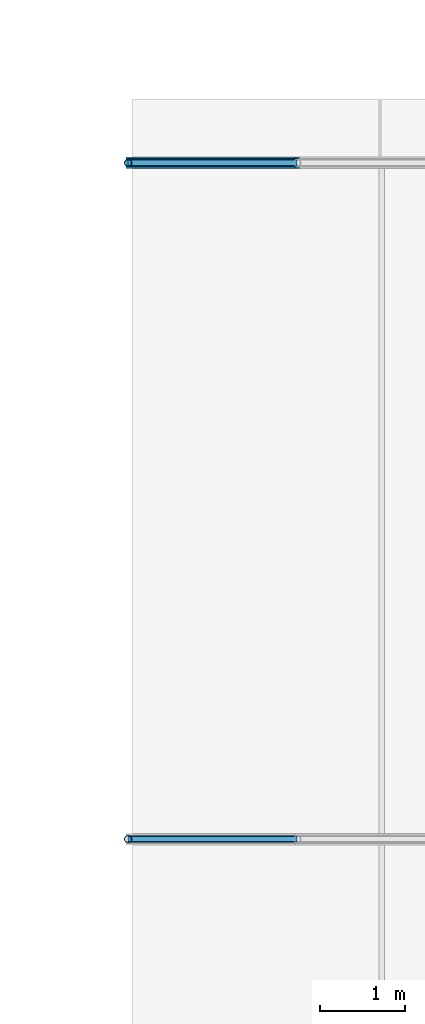
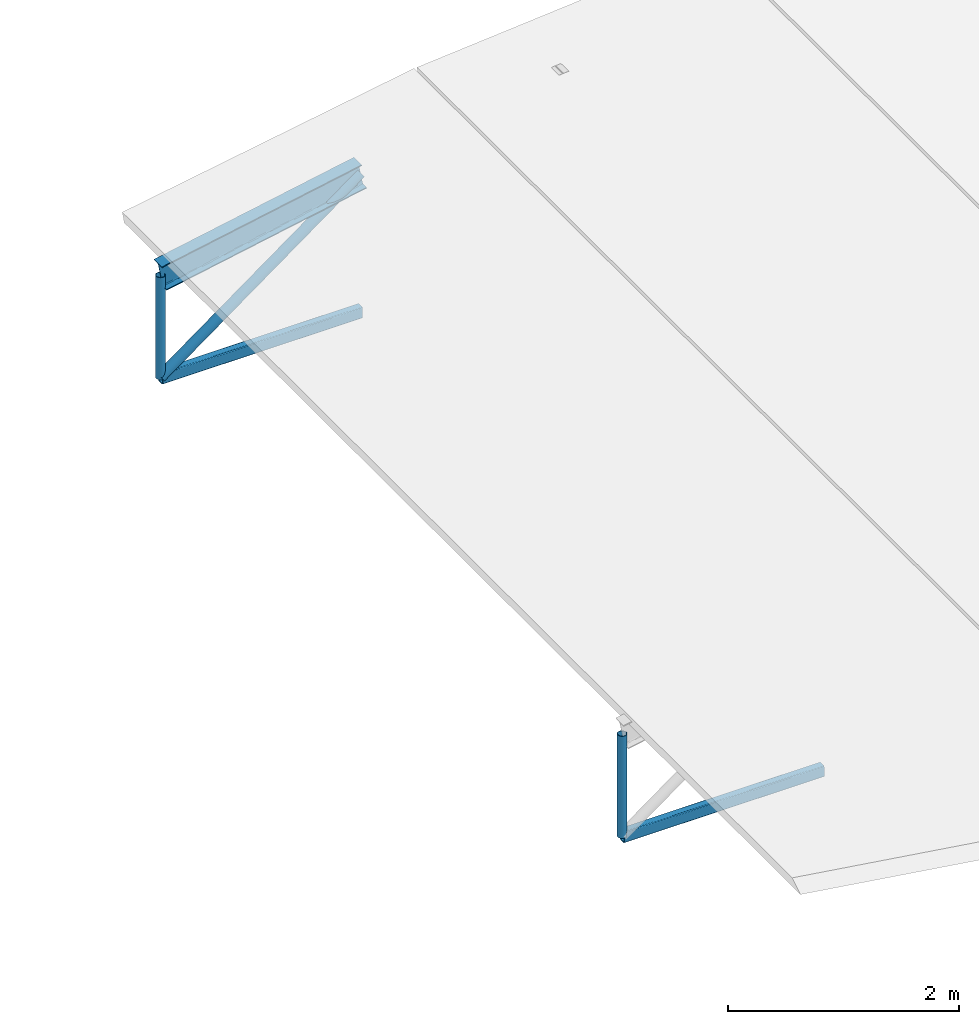
# One storey, part 44 of 54: 6 members.
"""IFC4 building model written with IfcOpenShell, lengths in metres."""

import ifcopenshell
import ifcopenshell.guid

model = None  # the IFC model being written
_history = None  # IfcOwnerHistory: only IFC2X3 demands one
_inside = {}  # id of a spatial element -> (the spatial element, [elements in it])
_under = {}  # id of a project, library or spatial element -> (it, [spatial elements below it])
_declared = {}  # id of a project -> (the project, [libraries it declares])
_typed = {}  # id of a type object -> (the type object, [elements of that type])
_made_of = {}  # id of a material, layer set ... -> (it, [elements and type objects made of it])


def new_model(schema):
    """Start an empty IFC model of exactly this schema.

    Asked for "IFC4X3", IfcOpenShell would pick the latest addendum, in which some entities
    have other attributes; the version numbers below select the first issue.
    IFC2X3 requires an IfcOwnerHistory on every rooted entity: one is made here for all.
    """
    global model, _history
    if schema == "IFC4X3":
        model = ifcopenshell.file(schema_version=(4, 3, 0, 0))
    else:
        model = ifcopenshell.file(schema=schema)
    _inside.clear()
    _under.clear()
    _declared.clear()
    _typed.clear()
    _made_of.clear()
    _history = None
    if model.schema == "IFC2X3":
        org = make("IfcOrganization", Name="unknown")
        user = make(
            "IfcPersonAndOrganization",
            ThePerson=make("IfcPerson", FamilyName="unknown"),
            TheOrganization=org,
        )
        app = make(
            "IfcApplication",
            ApplicationDeveloper=org,
            Version="unknown",
            ApplicationFullName="unknown",
            ApplicationIdentifier="unknown",
        )
        _history = make(
            "IfcOwnerHistory",
            OwningUser=user,
            OwningApplication=app,
            ChangeAction="ADDED",
            CreationDate=0,
        )
    return model


def make(cls, **values):
    """One entity of the class cls with the attributes given. An attribute that is None is left unset."""
    return model.create_entity(
        cls, **{name: value for name, value in values.items() if value is not None}
    )


def rooted(cls, **values):
    """An entity with a GlobalId (a new one), such as an element, a storey or a relation."""
    return make(cls, GlobalId=ifcopenshell.guid.new(), OwnerHistory=_history, **values)


def si_unit(unit_type, name, prefix=None):
    """IfcSIUnit, for example si_unit("LENGTHUNIT", "METRE", prefix="MILLI")."""
    return make("IfcSIUnit", UnitType=unit_type, Prefix=prefix, Name=name)


def derived_unit(unit_type, elements):
    """IfcDerivedUnit: a product of units, each with its exponent."""
    return make(
        "IfcDerivedUnit",
        Elements=[
            make("IfcDerivedUnitElement", Unit=unit, Exponent=power)
            for unit, power in elements
        ],
        UnitType=unit_type,
    )


def assignment(units):
    """IfcUnitAssignment: the units of a project."""
    return None if units is None else make("IfcUnitAssignment", Units=units)


def point(xyz):
    """IfcCartesianPoint."""
    return None if xyz is None else make("IfcCartesianPoint", Coordinates=xyz)


def direction(xyz):
    """IfcDirection."""
    return None if xyz is None else make("IfcDirection", DirectionRatios=xyz)


def frame(location, z_axis=None, x_axis=None):
    """IfcAxis2Placement3D, a coordinate frame: its origin and axes. An axis left out is left unset."""
    return make(
        "IfcAxis2Placement3D",
        Location=point(location),
        Axis=direction(z_axis),
        RefDirection=direction(x_axis),
    )


def frame_2d(location, x_axis=None):
    """IfcAxis2Placement2D, a coordinate frame in the plane: its origin and x axis."""
    return make(
        "IfcAxis2Placement2D", Location=point(location), RefDirection=direction(x_axis)
    )


def origin():
    """The frame at (0, 0, 0) with its axes left unset."""
    return frame((0.0, 0.0, 0.0))


def origin_2d():
    """The frame at (0, 0) in the plane with its x axis left unset."""
    return frame_2d((0.0, 0.0))


def place(relative_to, where):
    """IfcLocalPlacement: puts the frame where relative to a parent placement (None: the world)."""
    return make(
        "IfcLocalPlacement", PlacementRelTo=relative_to, RelativePlacement=where
    )


def context(
    kind, dimensions, precision=None, world=None, true_north=None, identifier=None
):
    """IfcGeometricRepresentationContext, for example the 3D "Model" context."""
    return make(
        "IfcGeometricRepresentationContext",
        ContextIdentifier=identifier,
        ContextType=kind,
        CoordinateSpaceDimension=dimensions,
        Precision=precision,
        WorldCoordinateSystem=world,
        TrueNorth=true_north,
    )


def subcontext(parent, identifier, kind, view, scale=None):
    """IfcGeometricRepresentationSubContext, for example "Body" below "Model"."""
    return make(
        "IfcGeometricRepresentationSubContext",
        ContextIdentifier=identifier,
        ContextType=kind,
        ParentContext=parent,
        TargetScale=scale,
        TargetView=view,
    )


def project(units=None, contexts=None):
    """IfcProject with its units and contexts."""
    return rooted(
        "IfcProject",
        Name="project",
        RepresentationContexts=contexts,
        UnitsInContext=assignment(units),
    )


def spatial(cls, under=None, at=None, **own):
    """A site, building, storey or space (cls), placed at a placement, below another one or the project."""
    s = rooted(cls, ObjectPlacement=at, **own)
    if under is not None:
        _under.setdefault(under.id(), (under, []))[1].append(s)
    return s


def profile(cls, at=None, kind="AREA", **sizes):
    """A parametric profile (cls). Its sizes go by their IFC names, for example OverallWidth=200.0."""
    return make(cls, ProfileType=kind, Position=at, **sizes)


def hollow_rectangle(**sizes):
    """IfcRectangleHollowProfileDef."""
    return profile("IfcRectangleHollowProfileDef", **sizes)


def hollow_circle(**sizes):
    """IfcCircleHollowProfileDef."""
    return profile("IfcCircleHollowProfileDef", **sizes)


def i_section(**sizes):
    """IfcIShapeProfileDef."""
    return profile("IfcIShapeProfileDef", **sizes)


def extrude(swept, where, along, depth):
    """IfcExtrudedAreaSolid: the profile swept, set in the frame where, extruded along a direction by depth."""
    return make(
        "IfcExtrudedAreaSolid",
        SweptArea=swept,
        Position=where,
        ExtrudedDirection=direction(along),
        Depth=depth,
    )


def shape(context_of_items, identifier, shape_type, items):
    """IfcShapeRepresentation: the items that make up one representation, for example the "Body"."""
    return make(
        "IfcShapeRepresentation",
        ContextOfItems=context_of_items,
        RepresentationIdentifier=identifier,
        RepresentationType=shape_type,
        Items=items,
    )


def material(Name=None, Category=None):
    """IfcMaterial."""
    return make("IfcMaterial", Name=Name, Category=Category)


def material_profile(
    of_material, cross_section, Name=None, Category=None, Priority=None
):
    """IfcMaterialProfile: a cross section and its material."""
    return make(
        "IfcMaterialProfile",
        Name=Name,
        Material=of_material,
        Profile=cross_section,
        Priority=Priority,
        Category=Category,
    )


def profile_set(profiles, Name=None, composite=None):
    """IfcMaterialProfileSet."""
    return make(
        "IfcMaterialProfileSet",
        Name=Name,
        MaterialProfiles=profiles,
        CompositeProfile=composite,
    )


def made_of(thing, what):
    """Note that an element or type object is made of a material, layer set ...; save() writes the relation."""
    if what is not None:
        _made_of.setdefault(what.id(), (what, []))[1].append(thing)
    return thing


def type_object(cls, material=None, **own):
    """A type object (cls), such as IfcWallType, which elements share."""
    return made_of(rooted(cls, **own), material)


def element(
    cls,
    number,
    at=None,
    inside=None,
    cuts=None,
    type_object=None,
    material=None,
    context=None,
    identifier="Body",
    shape_type=None,
    held_by="IfcProductDefinitionShape",
    body=None,
    shapes=None,
    **own,
):
    """One element of the class cls, such as IfcWall. Its Tag is "e" and its number.

    at: its placement. inside: the storey or other place that contains it. cuts: it is an
    opening in that element (IfcRelVoidsElement). A single representation is given by context,
    identifier, shape_type and body (its items); several are given by shapes. held_by: the class
    of the entity that holds the representations. save() writes the other relations.
    """
    e = rooted(cls, Tag="e%d" % number, ObjectPlacement=at, **own)
    if body is not None:
        shapes = [shape(context, identifier, shape_type, body)]
    if shapes is not None:
        e.Representation = make(held_by, Representations=shapes)
    if inside is not None:
        _inside.setdefault(inside.id(), (inside, []))[1].append(e)
    if cuts is not None:
        rooted(
            "IfcRelVoidsElement", RelatingBuildingElement=cuts, RelatedOpeningElement=e
        )
    if type_object is not None:
        _typed.setdefault(type_object.id(), (type_object, []))[1].append(e)
    return made_of(e, material)


def aggregate(whole, parts):
    """IfcRelAggregates: a whole, such as a stair, and the parts it consists of."""
    return rooted("IfcRelAggregates", RelatingObject=whole, RelatedObjects=parts)


def save(model, path):
    """Write the relations noted so far, then the file.

    IfcRelAggregates (storeys below a building ...), IfcRelContainedInSpatialStructure (elements
    in a storey), IfcRelDefinesByType, IfcRelAssociatesMaterial and IfcRelDeclares: one each for
    every whole, place, type object, material and project.
    """
    for whole, parts in _under.values():
        aggregate(whole, parts)
    for where, things in _inside.values():
        rooted(
            "IfcRelContainedInSpatialStructure",
            RelatedElements=things,
            RelatingStructure=where,
        )
    for kind, things in _typed.values():
        rooted("IfcRelDefinesByType", RelatedObjects=things, RelatingType=kind)
    for what, things in _made_of.values():
        rooted("IfcRelAssociatesMaterial", RelatedObjects=things, RelatingMaterial=what)
    for by, libraries in _declared.values():
        rooted("IfcRelDeclares", RelatingContext=by, RelatedDefinitions=libraries)
    model.write(path)


model = new_model("IFC4")

# Units and contexts
model_context = context("Model", 3, precision=1e-05, world=origin(), true_north=direction((0.0, 1.0)))
body_context = subcontext(model_context, "Body", "Model", "MODEL_VIEW")
ifc_project = project(units=[si_unit("LENGTHUNIT", "METRE"), si_unit("AREAUNIT", "SQUARE_METRE"), si_unit("VOLUMEUNIT", "CUBIC_METRE"), si_unit("PLANEANGLEUNIT", "RADIAN"), si_unit("MASSUNIT", "GRAM", prefix="KILO"), derived_unit("THERMALTRANSMITTANCEUNIT", [(si_unit("POWERUNIT", "WATT"), 1), (si_unit("LENGTHUNIT", "METRE"), -2), (si_unit("THERMODYNAMICTEMPERATUREUNIT", "KELVIN"), -1)])], contexts=[model_context])

# Site, building, storey
site_placement = place(None, origin())
site = spatial("IfcSite", under=ifc_project, at=site_placement, CompositionType="ELEMENT")
building_placement = place(site_placement, origin())
building = spatial("IfcBuilding", under=site, at=building_placement, Name="Keldorne Ridge Multi-Sports Centre", CompositionType="ELEMENT")
storey_placement = place(building_placement, frame((0.0, 0.0, 22.199951171875)))
storey = spatial("IfcBuildingStorey", under=building, at=storey_placement, Name="ROOF", CompositionType="ELEMENT", Elevation=22.199951171875)

# Members
ifc_material = material(Name="Steel S355", Category="steel")
ifc_material_profile_1 = material_profile(ifc_material, i_section(OverallWidth=0.135009765625, OverallDepth=0.27001953125, WebThickness=0.006591796875, FlangeThickness=0.01025390625, FilletRadius=0.014892578125, at=origin_2d()), Name="IPE 270")
ifc_profile_set_1 = profile_set([ifc_material_profile_1], Name="Steel S355")
member_type_1 = type_object("IfcMemberType", Name="MEM-RF-02", PredefinedType="RAFTER", material=ifc_profile_set_1)
member_1_placement = place(storey_placement, frame((84.0, 114.0, -12.639892578125), z_axis=(0.982435006317, 0.0, 0.186605086649), x_axis=(0.0, 1.0, 0.0)))
element("IfcMember", 1, at=member_1_placement, inside=storey, type_object=member_type_1, Name="Public Passage bowstring arch top chord 14.1", PredefinedType="RAFTER", context=body_context, shape_type="SweptSolid", body=[
    extrude(i_section(OverallWidth=0.135009765625, OverallDepth=0.27001953125, WebThickness=0.006591796875, FlangeThickness=0.01025390625, FilletRadius=0.014892578125, at=origin_2d()), origin(), (0.0, 0.0, 1.0), 2.03564453125),
])
ifc_material_profile_2 = material_profile(ifc_material, hollow_rectangle(XDim=0.080078125, YDim=0.1201171875, WallThickness=0.008056640625, InnerFilletRadius=0.008056640625, OuterFilletRadius=0.01611328125, at=origin_2d()), Name="RHS 120x80x8")
ifc_profile_set_2 = profile_set([ifc_material_profile_2], Name="Steel S355")
member_type_2 = type_object("IfcMemberType", Name="MEM-TC-07", PredefinedType="CHORD", material=ifc_profile_set_2)
for number, where, z_axis, x_axis, name in (
    (2, (84.0, 106.0, -13.719970703125), (1.0, 0.0, 0.0), (0.0, 1.0, 0.0), "Public Passage bowstring tie chord 13.1"),
    (3, (84.0, 114.0, -13.719970703125), (1.0, 0.0, 0.0), (0.0, 1.0, 0.0), "Public Passage bowstring tie chord 14.1"),
):
    element("IfcMember", number, at=place(storey_placement, frame(where, z_axis=z_axis, x_axis=x_axis)), inside=storey, type_object=member_type_2, Name=name, PredefinedType="CHORD", context=body_context, shape_type="SweptSolid", body=[
        extrude(hollow_rectangle(XDim=0.080078125, YDim=0.1201171875, WallThickness=0.008056640625, InnerFilletRadius=0.008056640625, OuterFilletRadius=0.01611328125, at=origin_2d()), origin(), (0.0, 0.0, 1.0), 2.0),
    ])
ifc_material_profile_3 = material_profile(ifc_material, hollow_circle(Radius=0.05078125, WallThickness=0.00634765625, at=origin_2d()), Name="CHS 101.6x6.3")
ifc_profile_set_3 = profile_set([ifc_material_profile_3], Name="Steel S355")
member_type_3 = type_object("IfcMemberType", Name="MEM-TD-05", PredefinedType="BRACE", material=ifc_profile_set_3)
member_2_placement = place(storey_placement, frame((84.0, 114.0, -13.719970703125), z_axis=(0.8076945033, 0.0, 0.589601212125), x_axis=(0.0, 1.0, 0.0)))
element("IfcMember", 4, at=member_2_placement, inside=storey, type_object=member_type_3, Name="Public Passage bowstring web diagonal 14.1", PredefinedType="BRACE", context=body_context, shape_type="SweptSolid", body=[
    extrude(hollow_circle(Radius=0.05078125, WallThickness=0.00634765625, at=origin_2d()), origin(), (0.0, 0.0, 1.0), 2.47607421875),
])
ifc_material_profile_4 = material_profile(ifc_material, hollow_circle(Radius=0.04443359375, WallThickness=0.0048828125, at=origin_2d()), Name="CHS 88.9x5")
ifc_profile_set_4 = profile_set([ifc_material_profile_4], Name="Steel S355")
member_type_4 = type_object("IfcMemberType", Name="MEM-TV-07", PredefinedType="STRUT", material=ifc_profile_set_4)
for number, where, z_axis, x_axis, name in (
    (5, (84.0, 106.0, -13.719970703125), (0.0, 0.0, 1.0), (1.0, 0.0, 0.0), "Public Passage bowstring hanger 13.1"),
    (6, (84.0, 114.0, -13.719970703125), (0.0, 0.0, 1.0), (1.0, 0.0, 0.0), "Public Passage bowstring hanger 14.1"),
):
    element("IfcMember", number, at=place(storey_placement, frame(where, z_axis=z_axis, x_axis=x_axis)), inside=storey, type_object=member_type_4, Name=name, PredefinedType="STRUT", context=body_context, shape_type="SweptSolid", body=[
        extrude(hollow_circle(Radius=0.04443359375, WallThickness=0.0048828125, at=origin_2d()), origin(), (0.0, 0.0, 1.0), 1.080078125),
    ])

save(model, "model.ifc")
